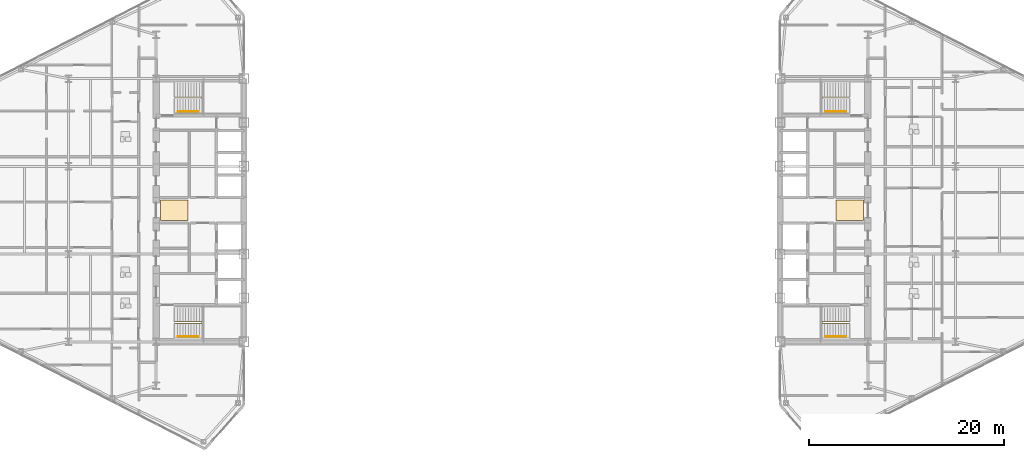
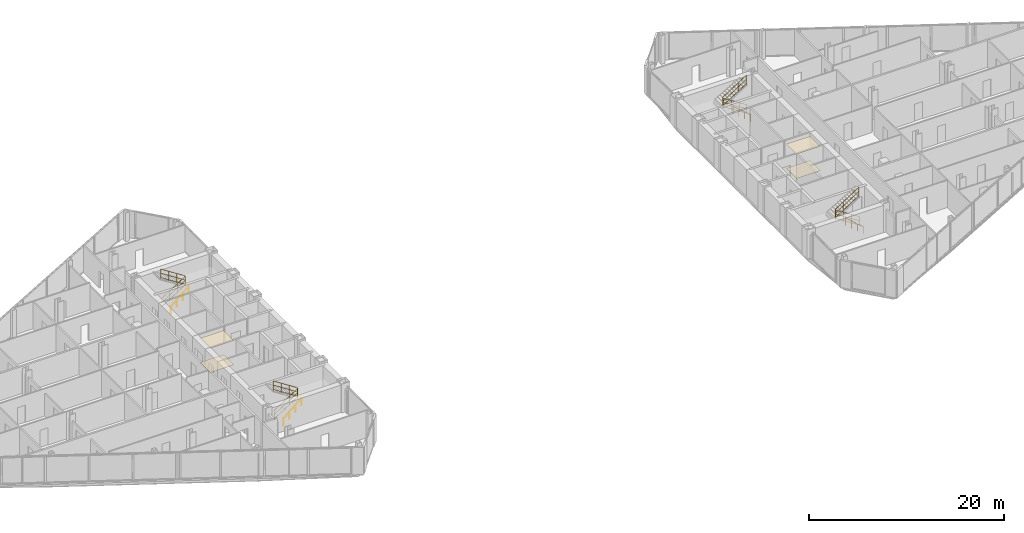
# One storey, part 23 of 24: 8 railings, 4 coverings.
"""IFC4 building model written with IfcOpenShell, lengths in metres."""

from ifc_helpers import new_model, si_unit, direction, frame, origin, origin_2d, place, context, subcontext, project, spatial, polyline, circle, outline, extrude, material, layer, layer_set, type_object, element, save


model = new_model("IFC4")

# Units and contexts
model_context = context("Model", 3, precision=1e-05, world=origin(), true_north=direction((0.0, 1.0)))
body_context = subcontext(model_context, "Body", "Model", "MODEL_VIEW")
ifc_project = project(units=[si_unit("LENGTHUNIT", "METRE"), si_unit("AREAUNIT", "SQUARE_METRE"), si_unit("VOLUMEUNIT", "CUBIC_METRE"), si_unit("PLANEANGLEUNIT", "RADIAN"), si_unit("MASSUNIT", "GRAM", prefix="KILO")], contexts=[model_context])

# Site, building, storey
site_placement = place(None, origin())
site = spatial("IfcSite", under=ifc_project, at=site_placement, CompositionType="ELEMENT")
building_placement = place(site_placement, origin())
building = spatial("IfcBuilding", under=site, at=building_placement, Name="Seokmaru Belvedere", CompositionType="ELEMENT")
storey_placement = place(building_placement, frame((0.0, 0.0, 114.0)))
storey = spatial("IfcBuildingStorey", under=building, at=storey_placement, Name="L30", CompositionType="ELEMENT", Elevation=114.0)

# Coverings
ifc_material_1 = material(Name="Engineered White Oak Timber", Category="wood")
ifc_layer_1 = layer(ifc_material_1, 0.02197265625)
ifc_layer_set_1 = layer_set([ifc_layer_1], Name="Engineered White Oak Timber")
covering_type_1 = type_object("IfcCoveringType", Name="Engineered Oak Residence Floor Finish 22", PredefinedType="FLOORING", material=ifc_layer_set_1)
covering_1_placement = place(storey_placement, origin())
element("IfcCovering", 1, at=covering_1_placement, inside=storey, type_object=covering_type_1, Name="L30 W Foyer Floor Finish", PredefinedType="FLOORING", context=body_context, shape_type="SweptSolid", body=[
    extrude(outline(polyline([(-36.050048828125, -1.050048828125), (-33.25, -1.050048828125), (-33.25, 1.050048828125), (-36.050048828125, 1.050048828125), (-36.050048828125, -1.050048828125)])), origin(), (0.0, 0.0, 1.0), 0.02197265625),
])
covering_2_placement = place(storey_placement, origin())
element("IfcCovering", 2, at=covering_2_placement, inside=storey, type_object=covering_type_1, Name="L30 E Foyer Floor Finish", PredefinedType="FLOORING", context=body_context, shape_type="SweptSolid", body=[
    extrude(outline(polyline([(33.25, -1.050048828125), (36.050048828125, -1.050048828125), (36.050048828125, 1.050048828125), (33.25, 1.050048828125), (33.25, -1.050048828125)])), origin(), (0.0, 0.0, 1.0), 0.02197265625),
])
ifc_material_2 = material(Name="Fire-Rated Gypsum Shaftwall")
ifc_layer_2 = layer(ifc_material_2, 0.02490234375)
ifc_layer_set_2 = layer_set([ifc_layer_2], Name="Fire-Rated Gypsum Shaftwall")
covering_type_2 = type_object("IfcCoveringType", Name="Perforated Acoustic Gypsum Suspended Ceiling 25", PredefinedType="CEILING", material=ifc_layer_set_2)
covering_3_placement = place(storey_placement, frame((0.0, 0.0, 3.030029296875)))
element("IfcCovering", 3, at=covering_3_placement, inside=storey, type_object=covering_type_2, Name="L30 W Lift Foyer Acoustic Ceiling", PredefinedType="CEILING", context=body_context, shape_type="SweptSolid", body=[
    extrude(outline(polyline([(-36.050048828125, -1.050048828125), (-33.25, -1.050048828125), (-33.25, 1.050048828125), (-36.050048828125, 1.050048828125), (-36.050048828125, -1.050048828125)])), origin(), (0.0, 0.0, 1.0), 0.02490234375),
])
covering_4_placement = place(storey_placement, frame((0.0, 0.0, 3.030029296875)))
element("IfcCovering", 4, at=covering_4_placement, inside=storey, type_object=covering_type_2, Name="L30 E Lift Foyer Acoustic Ceiling", PredefinedType="CEILING", context=body_context, shape_type="SweptSolid", body=[
    extrude(outline(polyline([(33.25, -1.050048828125), (36.050048828125, -1.050048828125), (36.050048828125, 1.050048828125), (33.25, 1.050048828125), (33.25, -1.050048828125)])), origin(), (0.0, 0.0, 1.0), 0.02490234375),
])

# Railings
ifc_material_3 = material(Name="Stainless Steel 316", Category="steel")
railing_type_1 = type_object("IfcRailingType", Name="Stainless Steel Wall and Flight Handrail 900", PredefinedType="HANDRAIL", material=ifc_material_3)
for number, where, name in (
    (5, (-34.25, -12.949951171875, 0.0), "L30 Stair ST-W1 Wall Handrail"),
    (6, (-34.25, 10.110107421875, 0.0), "L30 Stair ST-W2 Wall Handrail"),
):
    element("IfcRailing", number, at=place(storey_placement, frame(where)), inside=storey, type_object=railing_type_1, Name=name, PredefinedType="HANDRAIL", context=body_context, shape_type="SweptSolid", body=[
        extrude(circle(Radius=0.02392578125, at=origin_2d()), frame((0.0, 0.0, 0.8759765625), z_axis=(0.759262832861, 0.0, 0.650784104474), x_axis=(0.0, 1.0, 0.0)), (0.0, 0.0, 1.0), 2.765869140625),
        extrude(circle(Radius=0.02099609375, at=origin_2d()), origin(), (0.0, 0.0, 1.0), 0.851806640625),
        extrude(circle(Radius=0.02099609375, at=origin_2d()), frame((0.699951171875, 0.0, 0.60009765625)), (0.0, 0.0, 1.0), 0.851806640625),
        extrude(circle(Radius=0.02099609375, at=origin_2d()), frame((1.400146484375, 0.0, 1.199951171875)), (0.0, 0.0, 1.0), 0.851806640625),
        extrude(circle(Radius=0.02099609375, at=origin_2d()), frame((2.10009765625, 0.0, 1.800048828125)), (0.0, 0.0, 1.0), 0.851806640625),
    ])
for number, where, name in (
    (7, (34.25, -12.949951171875, 0.0), "L30 Stair ST-E1 Wall Handrail"),
    (8, (34.25, 10.110107421875, 0.0), "L30 Stair ST-E2 Wall Handrail"),
):
    element("IfcRailing", number, at=place(storey_placement, frame(where)), inside=storey, type_object=railing_type_1, Name=name, PredefinedType="HANDRAIL", context=body_context, shape_type="SweptSolid", body=[
        extrude(circle(Radius=0.02392578125, at=origin_2d()), frame((0.0, 0.0, 0.8759765625), z_axis=(-0.759262832861, 0.0, 0.650784104474), x_axis=(0.0, -1.0, 0.0)), (0.0, 0.0, 1.0), 2.765869140625),
        extrude(circle(Radius=0.02099609375, at=origin_2d()), origin(), (0.0, 0.0, 1.0), 0.851806640625),
        extrude(circle(Radius=0.02099609375, at=origin_2d()), frame((-0.699951171875, 0.0, 0.60009765625)), (0.0, 0.0, 1.0), 0.851806640625),
        extrude(circle(Radius=0.02099609375, at=origin_2d()), frame((-1.400146484375, 0.0, 1.199951171875)), (0.0, 0.0, 1.0), 0.851806640625),
        extrude(circle(Radius=0.02099609375, at=origin_2d()), frame((-2.10009765625, 0.0, 1.800048828125)), (0.0, 0.0, 1.0), 0.851806640625),
    ])
railing_type_2 = type_object("IfcRailingType", Name="Stair Well and Atrium Steel Guardrail 1200", PredefinedType="GUARDRAIL", material=ifc_material_3)
railing_1_placement = place(storey_placement, frame((-34.60009765625, -11.60009765625, 0.0)))
element("IfcRailing", 9, at=railing_1_placement, inside=storey, type_object=railing_type_2, Name="L30 Stair ST-W1 Inner Well Guardrail", PredefinedType="GUARDRAIL", context=body_context, shape_type="SweptSolid", body=[
    extrude(circle(Radius=0.02392578125, at=origin_2d()), frame((0.0, 0.0, 1.17578125), z_axis=(0.841176092368, 0.0, 0.540761298198), x_axis=(0.0, 1.0, 0.0)), (0.0, 0.0, 1.0), 3.32861328125),
    extrude(circle(Radius=0.02392578125, at=origin_2d()), frame((0.0, 0.0, 0.1201171875), z_axis=(0.841176092368, 0.0, 0.540761298198), x_axis=(0.0, 1.0, 0.0)), (0.0, 0.0, 1.0), 3.32861328125),
    extrude(circle(Radius=0.02392578125, at=origin_2d()), frame((0.0, 0.0, 0.659912109375), z_axis=(0.841176092368, 0.0, 0.540761298198), x_axis=(0.0, 1.0, 0.0)), (0.0, 0.0, 1.0), 3.32861328125),
    extrude(circle(Radius=0.02392578125, at=origin_2d()), frame((2.800048828125, 0.0, 2.97607421875), z_axis=(0.0, 1.0, 0.0), x_axis=(-1.0, 0.0, 0.0)), (0.0, 0.0, 1.0), 0.14013671875),
    extrude(circle(Radius=0.02392578125, at=origin_2d()), frame((2.800048828125, 0.0, 1.920166015625), z_axis=(0.0, 1.0, 0.0), x_axis=(-1.0, 0.0, 0.0)), (0.0, 0.0, 1.0), 0.14013671875),
    extrude(circle(Radius=0.02392578125, at=origin_2d()), frame((2.800048828125, 0.0, 2.4599609375), z_axis=(0.0, 1.0, 0.0), x_axis=(-1.0, 0.0, 0.0)), (0.0, 0.0, 1.0), 0.14013671875),
    extrude(circle(Radius=0.02392578125, at=origin_2d()), frame((2.800048828125, 0.14013671875, 2.97607421875), z_axis=(-0.841176092368, 0.0, 0.540761298198), x_axis=(0.0, -1.0, 0.0)), (0.0, 0.0, 1.0), 3.32861328125),
    extrude(circle(Radius=0.02392578125, at=origin_2d()), frame((2.800048828125, 0.14013671875, 1.920166015625), z_axis=(-0.841176092368, 0.0, 0.540761298198), x_axis=(0.0, -1.0, 0.0)), (0.0, 0.0, 1.0), 3.32861328125),
    extrude(circle(Radius=0.02392578125, at=origin_2d()), frame((2.800048828125, 0.14013671875, 2.4599609375), z_axis=(-0.841176092368, 0.0, 0.540761298198), x_axis=(0.0, -1.0, 0.0)), (0.0, 0.0, 1.0), 3.32861328125),
    extrude(circle(Radius=0.02099609375, at=origin_2d()), origin(), (0.0, 0.0, 1.0), 1.15185546875),
    extrude(circle(Radius=0.02099609375, at=origin_2d()), frame((0.933349609375, 0.0, 0.60009765625)), (0.0, 0.0, 1.0), 1.15185546875),
    extrude(circle(Radius=0.02099609375, at=origin_2d()), frame((1.86669921875, 0.0, 1.199951171875)), (0.0, 0.0, 1.0), 1.15185546875),
    extrude(circle(Radius=0.02099609375, at=origin_2d()), frame((2.800048828125, 0.0, 1.800048828125)), (0.0, 0.0, 1.0), 1.15185546875),
    extrude(circle(Radius=0.02099609375, at=origin_2d()), frame((2.800048828125, 0.14013671875, 1.800048828125)), (0.0, 0.0, 1.0), 1.15185546875),
    extrude(circle(Radius=0.02099609375, at=origin_2d()), frame((1.86669921875, 0.14013671875, 2.400146484375)), (0.0, 0.0, 1.0), 1.15185546875),
    extrude(circle(Radius=0.02099609375, at=origin_2d()), frame((0.933349609375, 0.14013671875, 3.0)), (0.0, 0.0, 1.0), 1.15185546875),
    extrude(circle(Radius=0.02099609375, at=origin_2d()), frame((0.0, 0.14013671875, 3.60009765625)), (0.0, 0.0, 1.0), 1.15185546875),
])
railing_2_placement = place(storey_placement, frame((-34.60009765625, 11.4599609375, 0.0)))
element("IfcRailing", 10, at=railing_2_placement, inside=storey, type_object=railing_type_2, Name="L30 Stair ST-W2 Inner Well Guardrail", PredefinedType="GUARDRAIL", context=body_context, shape_type="SweptSolid", body=[
    extrude(circle(Radius=0.02392578125, at=origin_2d()), frame((0.0, 0.0, 1.17578125), z_axis=(0.841176092368, 0.0, 0.540761298198), x_axis=(0.0, 1.0, 0.0)), (0.0, 0.0, 1.0), 3.32861328125),
    extrude(circle(Radius=0.02392578125, at=origin_2d()), frame((0.0, 0.0, 0.1201171875), z_axis=(0.841176092368, 0.0, 0.540761298198), x_axis=(0.0, 1.0, 0.0)), (0.0, 0.0, 1.0), 3.32861328125),
    extrude(circle(Radius=0.02392578125, at=origin_2d()), frame((0.0, 0.0, 0.659912109375), z_axis=(0.841176092368, 0.0, 0.540761298198), x_axis=(0.0, 1.0, 0.0)), (0.0, 0.0, 1.0), 3.32861328125),
    extrude(circle(Radius=0.02392578125, at=origin_2d()), frame((2.800048828125, 0.0, 2.97607421875), z_axis=(0.0, 1.0, 0.0), x_axis=(-1.0, 0.0, 0.0)), (0.0, 0.0, 1.0), 0.14013671875),
    extrude(circle(Radius=0.02392578125, at=origin_2d()), frame((2.800048828125, 0.0, 1.920166015625), z_axis=(0.0, 1.0, 0.0), x_axis=(-1.0, 0.0, 0.0)), (0.0, 0.0, 1.0), 0.14013671875),
    extrude(circle(Radius=0.02392578125, at=origin_2d()), frame((2.800048828125, 0.0, 2.4599609375), z_axis=(0.0, 1.0, 0.0), x_axis=(-1.0, 0.0, 0.0)), (0.0, 0.0, 1.0), 0.14013671875),
    extrude(circle(Radius=0.02392578125, at=origin_2d()), frame((2.800048828125, 0.14013671875, 2.97607421875), z_axis=(-0.841176092368, 0.0, 0.540761298198), x_axis=(0.0, -1.0, 0.0)), (0.0, 0.0, 1.0), 3.32861328125),
    extrude(circle(Radius=0.02392578125, at=origin_2d()), frame((2.800048828125, 0.14013671875, 1.920166015625), z_axis=(-0.841176092368, 0.0, 0.540761298198), x_axis=(0.0, -1.0, 0.0)), (0.0, 0.0, 1.0), 3.32861328125),
    extrude(circle(Radius=0.02392578125, at=origin_2d()), frame((2.800048828125, 0.14013671875, 2.4599609375), z_axis=(-0.841176092368, 0.0, 0.540761298198), x_axis=(0.0, -1.0, 0.0)), (0.0, 0.0, 1.0), 3.32861328125),
    extrude(circle(Radius=0.02099609375, at=origin_2d()), origin(), (0.0, 0.0, 1.0), 1.15185546875),
    extrude(circle(Radius=0.02099609375, at=origin_2d()), frame((0.933349609375, 0.0, 0.60009765625)), (0.0, 0.0, 1.0), 1.15185546875),
    extrude(circle(Radius=0.02099609375, at=origin_2d()), frame((1.86669921875, 0.0, 1.199951171875)), (0.0, 0.0, 1.0), 1.15185546875),
    extrude(circle(Radius=0.02099609375, at=origin_2d()), frame((2.800048828125, 0.0, 1.800048828125)), (0.0, 0.0, 1.0), 1.15185546875),
    extrude(circle(Radius=0.02099609375, at=origin_2d()), frame((2.800048828125, 0.14013671875, 1.800048828125)), (0.0, 0.0, 1.0), 1.15185546875),
    extrude(circle(Radius=0.02099609375, at=origin_2d()), frame((1.86669921875, 0.14013671875, 2.400146484375)), (0.0, 0.0, 1.0), 1.15185546875),
    extrude(circle(Radius=0.02099609375, at=origin_2d()), frame((0.933349609375, 0.14013671875, 3.0)), (0.0, 0.0, 1.0), 1.15185546875),
    extrude(circle(Radius=0.02099609375, at=origin_2d()), frame((0.0, 0.14013671875, 3.60009765625)), (0.0, 0.0, 1.0), 1.15185546875),
])
railing_3_placement = place(storey_placement, frame((34.60009765625, -11.60009765625, 0.0)))
element("IfcRailing", 11, at=railing_3_placement, inside=storey, type_object=railing_type_2, Name="L30 Stair ST-E1 Inner Well Guardrail", PredefinedType="GUARDRAIL", context=body_context, shape_type="SweptSolid", body=[
    extrude(circle(Radius=0.02392578125, at=origin_2d()), frame((0.0, 0.0, 1.17578125), z_axis=(-0.841176092368, 0.0, 0.540761298198), x_axis=(0.0, -1.0, 0.0)), (0.0, 0.0, 1.0), 3.32861328125),
    extrude(circle(Radius=0.02392578125, at=origin_2d()), frame((0.0, 0.0, 0.1201171875), z_axis=(-0.841176092368, 0.0, 0.540761298198), x_axis=(0.0, -1.0, 0.0)), (0.0, 0.0, 1.0), 3.32861328125),
    extrude(circle(Radius=0.02392578125, at=origin_2d()), frame((0.0, 0.0, 0.659912109375), z_axis=(-0.841176092368, 0.0, 0.540761298198), x_axis=(0.0, -1.0, 0.0)), (0.0, 0.0, 1.0), 3.32861328125),
    extrude(circle(Radius=0.02392578125, at=origin_2d()), frame((-2.800048828125, 0.0, 2.97607421875), z_axis=(0.0, 1.0, 0.0), x_axis=(-1.0, 0.0, 0.0)), (0.0, 0.0, 1.0), 0.14013671875),
    extrude(circle(Radius=0.02392578125, at=origin_2d()), frame((-2.800048828125, 0.0, 1.920166015625), z_axis=(0.0, 1.0, 0.0), x_axis=(-1.0, 0.0, 0.0)), (0.0, 0.0, 1.0), 0.14013671875),
    extrude(circle(Radius=0.02392578125, at=origin_2d()), frame((-2.800048828125, 0.0, 2.4599609375), z_axis=(0.0, 1.0, 0.0), x_axis=(-1.0, 0.0, 0.0)), (0.0, 0.0, 1.0), 0.14013671875),
    extrude(circle(Radius=0.02392578125, at=origin_2d()), frame((-2.800048828125, 0.14013671875, 2.97607421875), z_axis=(0.841176092368, 0.0, 0.540761298198), x_axis=(0.0, 1.0, 0.0)), (0.0, 0.0, 1.0), 3.32861328125),
    extrude(circle(Radius=0.02392578125, at=origin_2d()), frame((-2.800048828125, 0.14013671875, 1.920166015625), z_axis=(0.841176092368, 0.0, 0.540761298198), x_axis=(0.0, 1.0, 0.0)), (0.0, 0.0, 1.0), 3.32861328125),
    extrude(circle(Radius=0.02392578125, at=origin_2d()), frame((-2.800048828125, 0.14013671875, 2.4599609375), z_axis=(0.841176092368, 0.0, 0.540761298198), x_axis=(0.0, 1.0, 0.0)), (0.0, 0.0, 1.0), 3.32861328125),
    extrude(circle(Radius=0.02099609375, at=origin_2d()), origin(), (0.0, 0.0, 1.0), 1.15185546875),
    extrude(circle(Radius=0.02099609375, at=origin_2d()), frame((-0.933349609375, 0.0, 0.60009765625)), (0.0, 0.0, 1.0), 1.15185546875),
    extrude(circle(Radius=0.02099609375, at=origin_2d()), frame((-1.86669921875, 0.0, 1.199951171875)), (0.0, 0.0, 1.0), 1.15185546875),
    extrude(circle(Radius=0.02099609375, at=origin_2d()), frame((-2.800048828125, 0.0, 1.800048828125)), (0.0, 0.0, 1.0), 1.15185546875),
    extrude(circle(Radius=0.02099609375, at=origin_2d()), frame((-2.800048828125, 0.14013671875, 1.800048828125)), (0.0, 0.0, 1.0), 1.15185546875),
    extrude(circle(Radius=0.02099609375, at=origin_2d()), frame((-1.86669921875, 0.14013671875, 2.400146484375)), (0.0, 0.0, 1.0), 1.15185546875),
    extrude(circle(Radius=0.02099609375, at=origin_2d()), frame((-0.933349609375, 0.14013671875, 3.0)), (0.0, 0.0, 1.0), 1.15185546875),
    extrude(circle(Radius=0.02099609375, at=origin_2d()), frame((0.0, 0.14013671875, 3.60009765625)), (0.0, 0.0, 1.0), 1.15185546875),
])
railing_4_placement = place(storey_placement, frame((34.60009765625, 11.4599609375, 0.0)))
element("IfcRailing", 12, at=railing_4_placement, inside=storey, type_object=railing_type_2, Name="L30 Stair ST-E2 Inner Well Guardrail", PredefinedType="GUARDRAIL", context=body_context, shape_type="SweptSolid", body=[
    extrude(circle(Radius=0.02392578125, at=origin_2d()), frame((0.0, 0.0, 1.17578125), z_axis=(-0.841176092368, 0.0, 0.540761298198), x_axis=(0.0, -1.0, 0.0)), (0.0, 0.0, 1.0), 3.32861328125),
    extrude(circle(Radius=0.02392578125, at=origin_2d()), frame((0.0, 0.0, 0.1201171875), z_axis=(-0.841176092368, 0.0, 0.540761298198), x_axis=(0.0, -1.0, 0.0)), (0.0, 0.0, 1.0), 3.32861328125),
    extrude(circle(Radius=0.02392578125, at=origin_2d()), frame((0.0, 0.0, 0.659912109375), z_axis=(-0.841176092368, 0.0, 0.540761298198), x_axis=(0.0, -1.0, 0.0)), (0.0, 0.0, 1.0), 3.32861328125),
    extrude(circle(Radius=0.02392578125, at=origin_2d()), frame((-2.800048828125, 0.0, 2.97607421875), z_axis=(0.0, 1.0, 0.0), x_axis=(-1.0, 0.0, 0.0)), (0.0, 0.0, 1.0), 0.14013671875),
    extrude(circle(Radius=0.02392578125, at=origin_2d()), frame((-2.800048828125, 0.0, 1.920166015625), z_axis=(0.0, 1.0, 0.0), x_axis=(-1.0, 0.0, 0.0)), (0.0, 0.0, 1.0), 0.14013671875),
    extrude(circle(Radius=0.02392578125, at=origin_2d()), frame((-2.800048828125, 0.0, 2.4599609375), z_axis=(0.0, 1.0, 0.0), x_axis=(-1.0, 0.0, 0.0)), (0.0, 0.0, 1.0), 0.14013671875),
    extrude(circle(Radius=0.02392578125, at=origin_2d()), frame((-2.800048828125, 0.14013671875, 2.97607421875), z_axis=(0.841176092368, 0.0, 0.540761298198), x_axis=(0.0, 1.0, 0.0)), (0.0, 0.0, 1.0), 3.32861328125),
    extrude(circle(Radius=0.02392578125, at=origin_2d()), frame((-2.800048828125, 0.14013671875, 1.920166015625), z_axis=(0.841176092368, 0.0, 0.540761298198), x_axis=(0.0, 1.0, 0.0)), (0.0, 0.0, 1.0), 3.32861328125),
    extrude(circle(Radius=0.02392578125, at=origin_2d()), frame((-2.800048828125, 0.14013671875, 2.4599609375), z_axis=(0.841176092368, 0.0, 0.540761298198), x_axis=(0.0, 1.0, 0.0)), (0.0, 0.0, 1.0), 3.32861328125),
    extrude(circle(Radius=0.02099609375, at=origin_2d()), origin(), (0.0, 0.0, 1.0), 1.15185546875),
    extrude(circle(Radius=0.02099609375, at=origin_2d()), frame((-0.933349609375, 0.0, 0.60009765625)), (0.0, 0.0, 1.0), 1.15185546875),
    extrude(circle(Radius=0.02099609375, at=origin_2d()), frame((-1.86669921875, 0.0, 1.199951171875)), (0.0, 0.0, 1.0), 1.15185546875),
    extrude(circle(Radius=0.02099609375, at=origin_2d()), frame((-2.800048828125, 0.0, 1.800048828125)), (0.0, 0.0, 1.0), 1.15185546875),
    extrude(circle(Radius=0.02099609375, at=origin_2d()), frame((-2.800048828125, 0.14013671875, 1.800048828125)), (0.0, 0.0, 1.0), 1.15185546875),
    extrude(circle(Radius=0.02099609375, at=origin_2d()), frame((-1.86669921875, 0.14013671875, 2.400146484375)), (0.0, 0.0, 1.0), 1.15185546875),
    extrude(circle(Radius=0.02099609375, at=origin_2d()), frame((-0.933349609375, 0.14013671875, 3.0)), (0.0, 0.0, 1.0), 1.15185546875),
    extrude(circle(Radius=0.02099609375, at=origin_2d()), frame((0.0, 0.14013671875, 3.60009765625)), (0.0, 0.0, 1.0), 1.15185546875),
])

save(model, "model.ifc")
